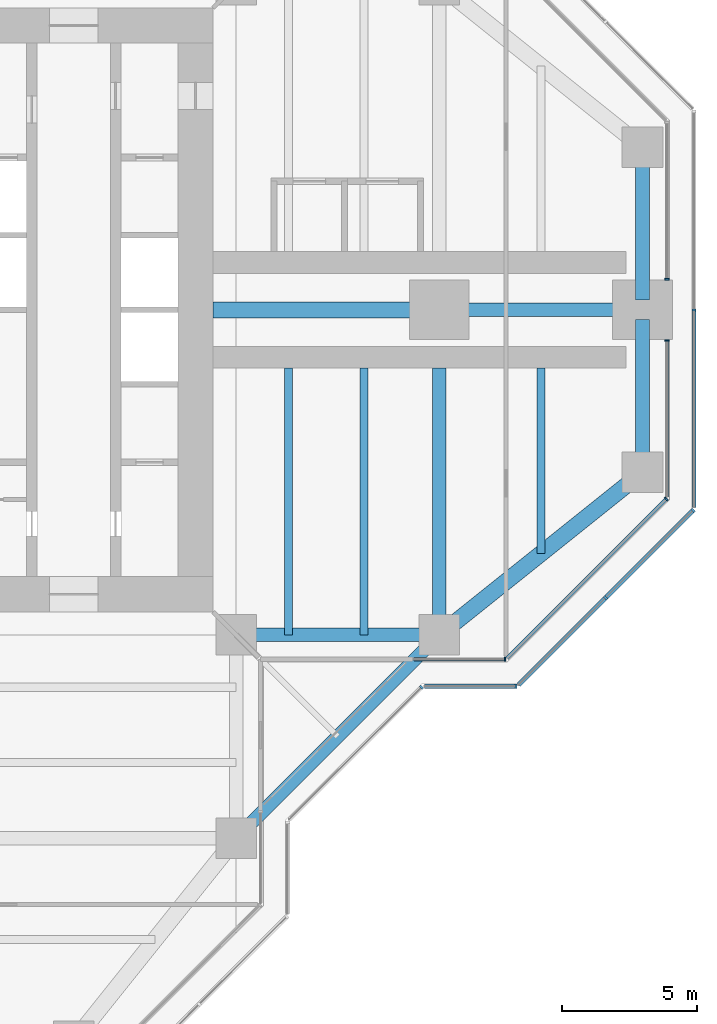
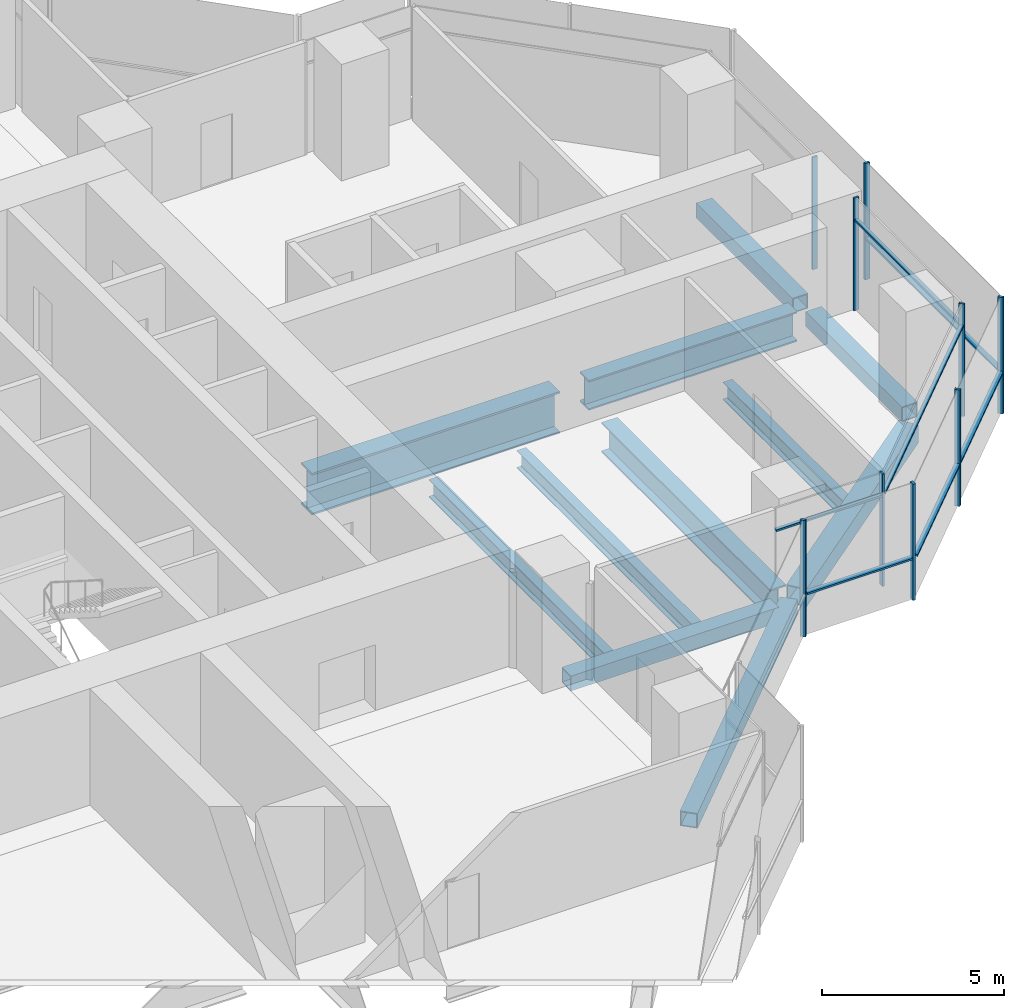
# One storey, part 5 of 17: 16 members, 11 beams, 8 elements without a shape of their own.
"""IFC4 building model written with IfcOpenShell, lengths in metres."""

from ifc_helpers import new_model, si_unit, direction, frame, origin, origin_2d, place, context, subcontext, project, spatial, rectangle, hollow_rectangle, i_section, extrude, material, material_profile, profile_set, type_object, element, aggregate, save


model = new_model("IFC4")

# Units and contexts
model_context = context("Model", 3, precision=1e-05, world=origin(), true_north=direction((0.0, 1.0)))
body_context = subcontext(model_context, "Body", "Model", "MODEL_VIEW")
ifc_project = project(units=[si_unit("LENGTHUNIT", "METRE"), si_unit("AREAUNIT", "SQUARE_METRE"), si_unit("VOLUMEUNIT", "CUBIC_METRE"), si_unit("PLANEANGLEUNIT", "RADIAN"), si_unit("MASSUNIT", "GRAM", prefix="KILO")], contexts=[model_context])

# Site, building, storey
site_placement = place(None, origin())
site = spatial("IfcSite", under=ifc_project, at=site_placement, CompositionType="ELEMENT")
building_placement = place(site_placement, origin())
building = spatial("IfcBuilding", under=site, at=building_placement, Name="Mizan Broadcast Tower", CompositionType="ELEMENT")
storey_placement = place(building_placement, frame((0.0, 0.0, 212.699951171875)))
storey = spatial("IfcBuildingStorey", under=building, at=storey_placement, Name="L49", CompositionType="ELEMENT", Elevation=212.699951171875)

# Beams
ifc_material_1 = material(Name="Steel S355", Category="steel")
ifc_material_profile_1 = material_profile(ifc_material_1, hollow_rectangle(XDim=0.5, YDim=0.5, WallThickness=0.030029296875, at=origin_2d()), Name="BOX 500x500x30")
ifc_profile_set_1 = profile_set([ifc_material_profile_1], Name="Steel S355")
beam_type_1 = type_object("IfcBeamType", Name="EDGE BEAM BOX 500x500x30", PredefinedType="SPANDREL", material=ifc_profile_set_1)
beam_1_placement = place(storey_placement, frame((12.449951171875, -12.0, -0.3798828125), z_axis=(1.0, 0.0, 0.0), x_axis=(0.0, 1.0, 0.0)))
element("IfcBeam", 1, at=beam_1_placement, inside=storey, type_object=beam_type_1, Name="Edge beam BOX 500x500x30 L49 east arm", PredefinedType="SPANDREL", context=body_context, shape_type="SweptSolid", body=[
    extrude(hollow_rectangle(XDim=0.5, YDim=0.5, WallThickness=0.030029296875, at=origin_2d()), origin(), (0.0, 0.0, 1.0), 6.60009765625),
])
for number, where, z_axis, x_axis, name in (
    (2, (27.0, -5.639892578125, -0.3798828125), (0.0, 1.0, 0.0), (-1.0, 0.0, 0.0), "Edge beam BOX 500x500x30 L49 east arm"),
    (3, (27.0, 5.639892578125, -0.3798828125), (0.0, -1.0, 0.0), (1.0, 0.0, 0.0), "Edge beam BOX 500x500x30 L49 east arm"),
):
    element("IfcBeam", number, at=place(storey_placement, frame(where, z_axis=z_axis, x_axis=x_axis)), inside=storey, type_object=beam_type_1, Name=name, PredefinedType="SPANDREL", context=body_context, shape_type="SweptSolid", body=[
        extrude(hollow_rectangle(XDim=0.5, YDim=0.5, WallThickness=0.030029296875, at=origin_2d()), origin(), (0.0, 0.0, 1.0), 5.27978515625),
    ])
beam_2_placement = place(storey_placement, frame((12.0, -19.5, -0.3798828125), z_axis=(0.707106781187, 0.707106781187, 0.0), x_axis=(-0.707106781187, 0.707106781187, 0.0)))
element("IfcBeam", 4, at=beam_2_placement, inside=storey, type_object=beam_type_1, Name="Winter garden edge beam L49 S", PredefinedType="SPANDREL", context=body_context, shape_type="SweptSolid", body=[
    extrude(hollow_rectangle(XDim=0.5, YDim=0.5, WallThickness=0.030029296875, at=origin_2d()), origin(), (0.0, 0.0, 1.0), 10.606689453125),
])
ifc_material_2 = material(Name="Steel S355", Category="steel")
ifc_material_profile_2 = material_profile(ifc_material_2, hollow_rectangle(XDim=0.60009765625, YDim=0.60009765625, WallThickness=0.030029296875, at=origin_2d()), Name="BOX 600x600x30")
ifc_profile_set_2 = profile_set([ifc_material_profile_2], Name="Steel S355")
beam_type_2 = type_object("IfcBeamType", Name="EDGE BEAM BOX 600x600x30", PredefinedType="SPANDREL", material=ifc_profile_set_2)
beam_3_placement = place(storey_placement, frame((19.949951171875, -11.639892578125, -0.429931640625), z_axis=(0.780885717636, 0.624673911726, 0.0), x_axis=(-0.624673911726, 0.780885717636, 0.0)))
element("IfcBeam", 5, at=beam_3_placement, inside=storey, type_object=beam_type_2, Name="Edge beam BOX 600x600x30 L49 east arm", PredefinedType="SPANDREL", context=body_context, shape_type="SweptSolid", body=[
    extrude(hollow_rectangle(XDim=0.60009765625, YDim=0.60009765625, WallThickness=0.030029296875, at=origin_2d()), origin(), (0.0, 0.0, 1.0), 8.4521484375),
])
ifc_material_3 = material(Name="Steel S460", Category="steel")
ifc_material_profile_3 = material_profile(ifc_material_3, i_section(OverallWidth=0.5, OverallDepth=1.0, WebThickness=0.02490234375, FlangeThickness=0.050048828125, at=origin_2d()), Name="WPG 1000x500")
ifc_profile_set_3 = profile_set([ifc_material_profile_3], Name="Steel S460")
beam_type_3 = type_object("IfcBeamType", Name="GIRDER WPG 1000x500", PredefinedType="BEAM", material=ifc_profile_set_3)
beam_4_placement = place(storey_placement, frame((19.949951171875, 0.0, -0.6298828125), z_axis=(1.0, 0.0, 0.0), x_axis=(0.0, 1.0, 0.0)))
element("IfcBeam", 6, at=beam_4_placement, inside=storey, type_object=beam_type_3, Name="Girder WPG 1000x500 L49 east arm", PredefinedType="BEAM", context=body_context, shape_type="SweptSolid", body=[
    extrude(i_section(OverallWidth=0.5, OverallDepth=1.0, WebThickness=0.02490234375, FlangeThickness=0.050048828125, at=origin_2d()), origin(), (0.0, 0.0, 1.0), 6.60009765625),
])
beam_5_placement = place(storey_placement, frame((19.5, -11.408935546875, -0.6298828125), z_axis=(0.0, 1.0, 0.0), x_axis=(-1.0, 0.0, 0.0)))
element("IfcBeam", 7, at=beam_5_placement, inside=storey, type_object=beam_type_3, Name="Girder WPG 1000x500 L49 east arm", PredefinedType="BEAM", context=body_context, shape_type="SweptSolid", body=[
    extrude(i_section(OverallWidth=0.5, OverallDepth=1.0, WebThickness=0.02490234375, FlangeThickness=0.050048828125, at=origin_2d()), origin(), (0.0, 0.0, 1.0), 9.259033203125),
])
ifc_material_4 = material(Name="Steel S460", Category="steel")
ifc_material_profile_4 = material_profile(ifc_material_4, i_section(OverallWidth=0.60009765625, OverallDepth=1.39990234375, WebThickness=0.02490234375, FlangeThickness=0.06005859375, at=origin_2d()), Name="WPG 1400x600")
ifc_profile_set_4 = profile_set([ifc_material_profile_4], Name="Steel S460")
beam_type_4 = type_object("IfcBeamType", Name="GIRDER WPG 1400x600", PredefinedType="BEAM", material=ifc_profile_set_4)
beam_6_placement = place(storey_placement, frame((11.14990234375, 0.0, -0.829833984375), z_axis=(1.0, 0.0, 0.0), x_axis=(0.0, 1.0, 0.0)))
element("IfcBeam", 8, at=beam_6_placement, inside=storey, type_object=beam_type_4, Name="Girder WPG 1400x600 L49 east arm", PredefinedType="BEAM", context=body_context, shape_type="SweptSolid", body=[
    extrude(i_section(OverallWidth=0.60009765625, OverallDepth=1.39990234375, WebThickness=0.02490234375, FlangeThickness=0.06005859375, at=origin_2d()), origin(), (0.0, 0.0, 1.0), 7.84912109375),
])

# Curtain wall, member
ifc_material_5 = material(Name="Aluminium framed glazing", Category="aluminium")
curtain_wall_type_1 = type_object("IfcCurtainWallType", Name="INNER SKIN HIGH ZONE", PredefinedType="USERDEFINED", material=ifc_material_5)
curtain_wall_1_placement = place(storey_placement, origin())
curtain_wall_1 = element("IfcCurtainWall", 9, at=curtain_wall_1_placement, inside=storey, type_object=curtain_wall_type_1, Name="Inner skin high zone L49 E side", ObjectType="INNER SKIN HIGH ZONE", PredefinedType="USERDEFINED")
ifc_material_6 = material(Name="Aluminium, pale anodised", Category="aluminium")
ifc_material_profile_5 = material_profile(ifc_material_6, rectangle(XDim=0.159912109375, YDim=0.06005859375, at=origin_2d()), Name="MULLION 160x60")
ifc_profile_set_5 = profile_set([ifc_material_profile_5], Name="Aluminium, pale anodised")
member_type_1 = type_object("IfcMemberType", Name="INNER SKIN MULLION 60x160", PredefinedType="MULLION", material=ifc_profile_set_5)
member_1_placement = place(storey_placement, frame((21.928466796875, -12.89990234375, 0.0), z_axis=(0.0, 0.0, 1.0), x_axis=(0.0, 1.0, 0.0)))
member_1 = element("IfcMember", 10, at=member_1_placement, type_object=member_type_1, Name="Inner skin high zone L49 E side mullion 2", PredefinedType="MULLION", context=body_context, shape_type="SweptSolid", body=[
    extrude(rectangle(XDim=0.159912109375, YDim=0.06005859375, at=origin_2d()), origin(), (0.0, 0.0, 1.0), 3.77001953125),
])

curtain_wall_2_placement = place(storey_placement, origin())
curtain_wall_2 = element("IfcCurtainWall", 11, at=curtain_wall_2_placement, inside=storey, type_object=curtain_wall_type_1, Name="Inner skin high zone L49 E chamfer", ObjectType="INNER SKIN HIGH ZONE", PredefinedType="USERDEFINED")
member_2_placement = place(storey_placement, frame((27.87890625, -6.979736328125, 0.0), z_axis=(0.0, 0.0, 1.0), x_axis=(-0.707106781187, 0.707106781187, 0.0)))
member_2 = element("IfcMember", 12, at=member_2_placement, type_object=member_type_1, Name="Inner skin high zone L49 E chamfer mullion 2", PredefinedType="MULLION", context=body_context, shape_type="SweptSolid", body=[
    extrude(rectangle(XDim=0.159912109375, YDim=0.06005859375, at=origin_2d()), origin(), (0.0, 0.0, 1.0), 3.77001953125),
])

curtain_wall_3_placement = place(storey_placement, origin())
curtain_wall_3 = element("IfcCurtainWall", 13, at=curtain_wall_3_placement, inside=storey, type_object=curtain_wall_type_1, Name="Inner skin high zone L49 E end", ObjectType="INNER SKIN HIGH ZONE", PredefinedType="USERDEFINED")
member_3_placement = place(storey_placement, frame((27.89990234375, -1.1298828125, 0.0), z_axis=(0.0, 0.0, 1.0), x_axis=(-1.0, 0.0, 0.0)))
member_3 = element("IfcMember", 14, at=member_3_placement, type_object=member_type_1, Name="Inner skin high zone L49 E end mullion 2", PredefinedType="MULLION", context=body_context, shape_type="SweptSolid", body=[
    extrude(rectangle(XDim=0.159912109375, YDim=0.06005859375, at=origin_2d()), origin(), (0.0, 0.0, 1.0), 3.77001953125),
])

curtain_wall_4_placement = place(storey_placement, origin())
curtain_wall_4 = element("IfcCurtainWall", 15, at=curtain_wall_4_placement, inside=storey, type_object=curtain_wall_type_1, Name="Inner skin high zone L49 E end", ObjectType="INNER SKIN HIGH ZONE", PredefinedType="USERDEFINED")
member_4_placement = place(storey_placement, frame((27.89990234375, 1.1298828125, 0.0), z_axis=(0.0, 0.0, 1.0), x_axis=(-1.0, 0.0, 0.0)))
member_4 = element("IfcMember", 16, at=member_4_placement, type_object=member_type_1, Name="Inner skin high zone L49 E end mullion 1", PredefinedType="MULLION", context=body_context, shape_type="SweptSolid", body=[
    extrude(rectangle(XDim=0.159912109375, YDim=0.06005859375, at=origin_2d()), origin(), (0.0, 0.0, 1.0), 3.77001953125),
])
aggregate(curtain_wall_4, [member_4])

# Member
ifc_material_7 = material(Name="Aluminium, pale anodised", Category="aluminium")
ifc_material_profile_6 = material_profile(ifc_material_7, rectangle(XDim=0.1201171875, YDim=0.06005859375, at=origin_2d()), Name="TRANSOM 120x60")
ifc_profile_set_6 = profile_set([ifc_material_profile_6], Name="Aluminium, pale anodised")
member_type_2 = type_object("IfcMemberType", Name="INNER SKIN TRANSOM 60x120", PredefinedType="USERDEFINED", material=ifc_profile_set_6)
member_5_placement = place(storey_placement, frame((18.56005859375, -12.89990234375, 3.030029296875), z_axis=(1.0, 0.0, 0.0), x_axis=(0.0, 1.0, 0.0)))
member_5 = element("IfcMember", 17, at=member_5_placement, type_object=member_type_2, Name="Inner skin high zone L49 E side transom 1.1", ObjectType="TRANSOM", PredefinedType="USERDEFINED", context=body_context, shape_type="SweptSolid", body=[
    extrude(rectangle(XDim=0.1201171875, YDim=0.06005859375, at=origin_2d()), origin(), (0.0, 0.0, 1.0), 3.338623046875),
])

aggregate(curtain_wall_1, [member_1, member_5])

member_6_placement = place(storey_placement, frame((22.0009765625, -12.857666015625, 3.030029296875), z_axis=(0.707106781187, 0.707106781187, 0.0), x_axis=(-0.707106781187, 0.707106781187, 0.0)))
member_6 = element("IfcMember", 18, at=member_6_placement, type_object=member_type_2, Name="Inner skin high zone L49 E chamfer transom 1.1", ObjectType="TRANSOM", PredefinedType="USERDEFINED", context=body_context, shape_type="SweptSolid", body=[
    extrude(rectangle(XDim=0.1201171875, YDim=0.06005859375, at=origin_2d()), origin(), (0.0, 0.0, 1.0), 8.28271484375),
])

aggregate(curtain_wall_2, [member_2, member_6])

member_7_placement = place(storey_placement, frame((27.89990234375, -6.898681640625, 3.030029296875), z_axis=(0.0, 1.0, 0.0), x_axis=(-1.0, 0.0, 0.0)))
member_7 = element("IfcMember", 19, at=member_7_placement, type_object=member_type_2, Name="Inner skin high zone L49 E end transom 1.1", ObjectType="TRANSOM", PredefinedType="USERDEFINED", context=body_context, shape_type="SweptSolid", body=[
    extrude(rectangle(XDim=0.1201171875, YDim=0.06005859375, at=origin_2d()), origin(), (0.0, 0.0, 1.0), 5.73876953125),
])

aggregate(curtain_wall_3, [member_3, member_7])

# Curtain wall, members
ifc_material_8 = material(Name="Aluminium framed glazing", Category="aluminium")
curtain_wall_type_2 = type_object("IfcCurtainWallType", Name="OUTER SKIN", PredefinedType="USERDEFINED", material=ifc_material_8)
curtain_wall_5_placement = place(storey_placement, origin())
curtain_wall_5 = element("IfcCurtainWall", 20, at=curtain_wall_5_placement, inside=storey, type_object=curtain_wall_type_2, Name="Outer skin L49 E chamfer", ObjectType="OUTER SKIN", PredefinedType="USERDEFINED")
ifc_material_9 = material(Name="Aluminium, pale anodised", Category="aluminium")
ifc_material_profile_7 = material_profile(ifc_material_9, rectangle(XDim=0.159912109375, YDim=0.080078125, at=origin_2d()), Name="MULLION 160x80")
ifc_profile_set_7 = profile_set([ifc_material_profile_7], Name="Aluminium, pale anodised")
member_type_3 = type_object("IfcMemberType", Name="OUTER SKIN MULLION 80x160", PredefinedType="MULLION", material=ifc_profile_set_7)
member_8_placement = place(storey_placement, frame((25.636474609375, -10.636474609375, 0.0), z_axis=(0.0, 0.0, 1.0), x_axis=(-0.707106781187, 0.707106781187, 0.0)))
member_8 = element("IfcMember", 21, at=member_8_placement, type_object=member_type_3, Name="Outer skin L49 E chamfer mullion 2", PredefinedType="MULLION", context=body_context, shape_type="SweptSolid", body=[
    extrude(rectangle(XDim=0.159912109375, YDim=0.080078125, at=origin_2d()), origin(), (0.0, 0.0, 1.0), 3.900146484375),
])
member_9_placement = place(storey_placement, frame((28.871826171875, -7.401123046875, 0.0), z_axis=(0.0, 0.0, 1.0), x_axis=(-0.707106781187, 0.707106781187, 0.0)))
member_9 = element("IfcMember", 22, at=member_9_placement, type_object=member_type_3, Name="Outer skin L49 E chamfer mullion 3", PredefinedType="MULLION", context=body_context, shape_type="SweptSolid", body=[
    extrude(rectangle(XDim=0.159912109375, YDim=0.080078125, at=origin_2d()), origin(), (0.0, 0.0, 1.0), 3.900146484375),
])

# Curtain wall, member
curtain_wall_6_placement = place(storey_placement, origin())
curtain_wall_6 = element("IfcCurtainWall", 23, at=curtain_wall_6_placement, inside=storey, type_object=curtain_wall_type_2, Name="Outer skin L49 E end", ObjectType="OUTER SKIN", PredefinedType="USERDEFINED")
member_10_placement = place(storey_placement, frame((28.89990234375, 0.0, 0.0), z_axis=(0.0, 0.0, 1.0), x_axis=(-1.0, 0.0, 0.0)))
member_10 = element("IfcMember", 24, at=member_10_placement, type_object=member_type_3, Name="Outer skin L49 E end mullion 2", PredefinedType="MULLION", context=body_context, shape_type="SweptSolid", body=[
    extrude(rectangle(XDim=0.159912109375, YDim=0.080078125, at=origin_2d()), origin(), (0.0, 0.0, 1.0), 3.900146484375),
])

curtain_wall_7_placement = place(storey_placement, origin())
curtain_wall_7 = element("IfcCurtainWall", 25, at=curtain_wall_7_placement, inside=storey, type_object=curtain_wall_type_2, Name="Outer skin L49 E chamfer", ObjectType="OUTER SKIN", PredefinedType="USERDEFINED")
member_11_placement = place(storey_placement, frame((18.844482421875, -13.92822265625, 0.0), z_axis=(0.0, 0.0, 1.0), x_axis=(-0.707106781187, 0.707106781187, 0.0)))
member_11 = element("IfcMember", 26, at=member_11_placement, type_object=member_type_3, Name="Outer skin L49 E chamfer mullion 2", PredefinedType="MULLION", context=body_context, shape_type="SweptSolid", body=[
    extrude(rectangle(XDim=0.159912109375, YDim=0.080078125, at=origin_2d()), origin(), (0.0, 0.0, 1.0), 3.900146484375),
])
aggregate(curtain_wall_7, [member_11])

curtain_wall_8_placement = place(storey_placement, origin())
curtain_wall_8 = element("IfcCurtainWall", 27, at=curtain_wall_8_placement, inside=storey, type_object=curtain_wall_type_2, Name="Outer skin L49 E side", ObjectType="OUTER SKIN", PredefinedType="USERDEFINED")
member_12_placement = place(storey_placement, frame((22.332763671875, -13.89990234375, 0.0), z_axis=(0.0, 0.0, 1.0), x_axis=(0.0, 1.0, 0.0)))
member_12 = element("IfcMember", 28, at=member_12_placement, type_object=member_type_3, Name="Outer skin L49 E side mullion 2", PredefinedType="MULLION", context=body_context, shape_type="SweptSolid", body=[
    extrude(rectangle(XDim=0.159912109375, YDim=0.080078125, at=origin_2d()), origin(), (0.0, 0.0, 1.0), 3.900146484375),
])

# Member
ifc_material_10 = material(Name="Aluminium, pale anodised", Category="aluminium")
ifc_material_profile_8 = material_profile(ifc_material_10, rectangle(XDim=0.159912109375, YDim=0.06005859375, at=origin_2d()), Name="TRANSOM 160x60")
ifc_profile_set_8 = profile_set([ifc_material_profile_8], Name="Aluminium, pale anodised")
member_type_4 = type_object("IfcMemberType", Name="OUTER SKIN TRANSOM 60x160", PredefinedType="USERDEFINED", material=ifc_profile_set_8)
member_13_placement = place(storey_placement, frame((22.429443359375, -13.843505859375, 1.400146484375), z_axis=(0.707106781187, 0.707106781187, 0.0), x_axis=(-0.707106781187, 0.707106781187, 0.0)))
member_13 = element("IfcMember", 29, at=member_13_placement, type_object=member_type_4, Name="Outer skin L49 E chamfer transom 1.1", ObjectType="TRANSOM", PredefinedType="USERDEFINED", context=body_context, shape_type="SweptSolid", body=[
    extrude(rectangle(XDim=0.159912109375, YDim=0.06005859375, at=origin_2d()), origin(), (0.0, 0.0, 1.0), 4.495361328125),
])

member_14_placement = place(storey_placement, frame((25.664794921875, -10.608154296875, 1.400146484375), z_axis=(0.707106781187, 0.707106781187, 0.0), x_axis=(-0.707106781187, 0.707106781187, 0.0)))
member_14 = element("IfcMember", 30, at=member_14_placement, type_object=member_type_4, Name="Outer skin L49 E chamfer transom 2.1", ObjectType="TRANSOM", PredefinedType="USERDEFINED", context=body_context, shape_type="SweptSolid", body=[
    extrude(rectangle(XDim=0.159912109375, YDim=0.06005859375, at=origin_2d()), origin(), (0.0, 0.0, 1.0), 4.495361328125),
])

aggregate(curtain_wall_5, [member_8, member_9, member_13, member_14])

member_15_placement = place(storey_placement, frame((28.89990234375, -7.292724609375, 1.400146484375), z_axis=(0.0, 1.0, 0.0), x_axis=(-1.0, 0.0, 0.0)))
member_15 = element("IfcMember", 31, at=member_15_placement, type_object=member_type_4, Name="Outer skin L49 E end transom 1.1", ObjectType="TRANSOM", PredefinedType="USERDEFINED", context=body_context, shape_type="SweptSolid", body=[
    extrude(rectangle(XDim=0.159912109375, YDim=0.06005859375, at=origin_2d()), origin(), (0.0, 0.0, 1.0), 7.252685546875),
])

aggregate(curtain_wall_6, [member_10, member_15])

member_16_placement = place(storey_placement, frame((18.952880859375, -13.89990234375, 1.400146484375), z_axis=(1.0, 0.0, 0.0), x_axis=(0.0, 1.0, 0.0)))
member_16 = element("IfcMember", 32, at=member_16_placement, type_object=member_type_4, Name="Outer skin L49 E side transom 1.1", ObjectType="TRANSOM", PredefinedType="USERDEFINED", context=body_context, shape_type="SweptSolid", body=[
    extrude(rectangle(XDim=0.159912109375, YDim=0.06005859375, at=origin_2d()), origin(), (0.0, 0.0, 1.0), 3.33984375),
])

aggregate(curtain_wall_8, [member_12, member_16])

# Beams
ifc_material_11 = material(Name="Steel S355", Category="steel")
ifc_material_profile_9 = material_profile(ifc_material_11, i_section(OverallWidth=0.300048828125, OverallDepth=0.590087890625, WebThickness=0.012939453125, FlangeThickness=0.02490234375, FilletRadius=0.027099609375, at=origin_2d()), Name="HEA 600")
ifc_profile_set_9 = profile_set([ifc_material_profile_9], Name="Steel S355")
beam_type_5 = type_object("IfcBeamType", Name="SECONDARY BEAM HEA 600", PredefinedType="JOIST", material=ifc_profile_set_9)
for number, where, z_axis, x_axis, name in (
    (33, (13.933349609375, -12.0, -0.425048828125), (0.0, 1.0, 0.0), (-1.0, 0.0, 0.0), "Secondary beam HEA 600 L49 east arm"),
    (34, (16.716552734375, -12.0, -0.425048828125), (0.0, 1.0, 0.0), (-1.0, 0.0, 0.0), "Secondary beam HEA 600 L49 east arm"),
):
    element("IfcBeam", number, at=place(storey_placement, frame(where, z_axis=z_axis, x_axis=x_axis)), inside=storey, type_object=beam_type_5, Name=name, PredefinedType="JOIST", context=body_context, shape_type="SweptSolid", body=[
        extrude(i_section(OverallWidth=0.300048828125, OverallDepth=0.590087890625, WebThickness=0.012939453125, FlangeThickness=0.02490234375, FilletRadius=0.027099609375, at=origin_2d()), origin(), (0.0, 0.0, 1.0), 9.85009765625),
    ])
beam_7_placement = place(storey_placement, frame((23.25, -9.0, -0.425048828125), z_axis=(0.0, 1.0, 0.0), x_axis=(-1.0, 0.0, 0.0)))
element("IfcBeam", 35, at=beam_7_placement, inside=storey, type_object=beam_type_5, Name="Secondary beam HEA 600 L49 east arm", PredefinedType="JOIST", context=body_context, shape_type="SweptSolid", body=[
    extrude(i_section(OverallWidth=0.300048828125, OverallDepth=0.590087890625, WebThickness=0.012939453125, FlangeThickness=0.02490234375, FilletRadius=0.027099609375, at=origin_2d()), origin(), (0.0, 0.0, 1.0), 6.85009765625),
])

save(model, "model.ifc")
